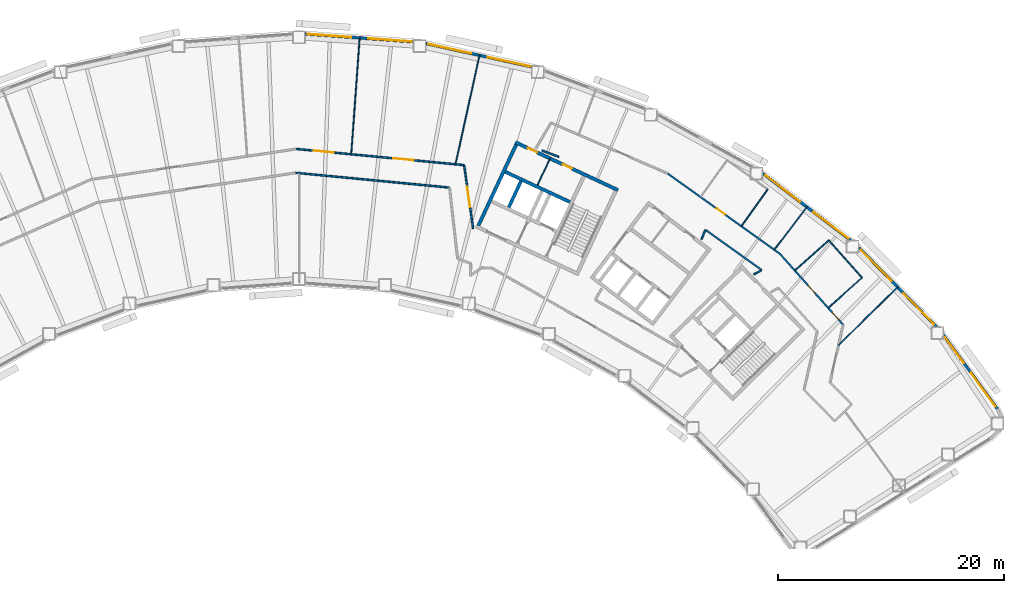
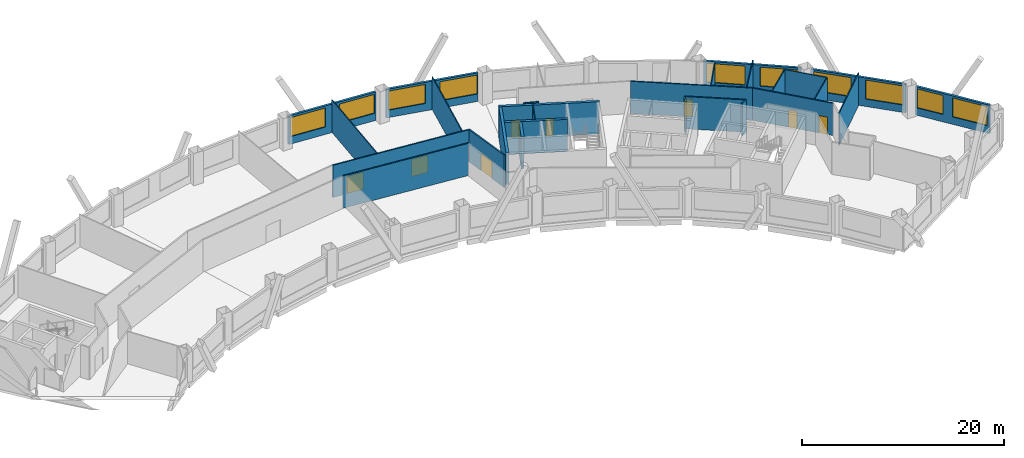
# One storey, part 7 of 11: 27 walls, 10 windows, 8 doors, 18 openings.
"""IFC4 building model written with IfcOpenShell, lengths in metres."""

from ifc_helpers import new_model, si_unit, direction, frame, frame_2d, origin, place, context, subcontext, project, spatial, rectangle, extrude, material, layer, layer_set, type_object, element, fill, save


model = new_model("IFC4")

# Units and contexts
model_context = context("Model", 3, precision=1e-05, world=origin(), true_north=direction((0.0, 1.0)))
body_context = subcontext(model_context, "Body", "Model", "MODEL_VIEW")
ifc_project = project(units=[si_unit("LENGTHUNIT", "METRE"), si_unit("AREAUNIT", "SQUARE_METRE"), si_unit("VOLUMEUNIT", "CUBIC_METRE"), si_unit("PLANEANGLEUNIT", "RADIAN"), si_unit("MASSUNIT", "GRAM", prefix="KILO")], contexts=[model_context])

# Site, building, storey
site_placement = place(None, origin())
site = spatial("IfcSite", under=ifc_project, at=site_placement, CompositionType="ELEMENT")
building_placement = place(site_placement, origin())
building = spatial("IfcBuilding", under=site, at=building_placement, Name="Tuul Gate Civic Tower", CompositionType="ELEMENT")
storey_placement = place(building_placement, frame((0.0, 0.0, 116.10009765625)))
storey = spatial("IfcBuildingStorey", under=building, at=storey_placement, Name="Level 26", CompositionType="ELEMENT", Elevation=116.10009765625)

# Wall
ifc_material_1 = material(Name="Concrete C50/60", Category="concrete")
ifc_layer_1 = layer(ifc_material_1, 0.300048828125)
ifc_layer_set_1 = layer_set([ifc_layer_1], Name="Concrete C50/60")
wall_type_1 = type_object("IfcWallType", Name="Core wall C50/60", PredefinedType="SHEAR", material=ifc_layer_set_1)
wall_1_placement = place(storey_placement, frame((33.75, -0.873779296875, 0.0), z_axis=(0.0, 0.0, 1.0), x_axis=(-0.906300917592, 0.422632992999, 0.0)))
element("IfcWall", 1, at=wall_1_placement, inside=storey, type_object=wall_type_1, Name="Core wall", PredefinedType="SHEAR", context=body_context, shape_type="SweptSolid", body=[
    extrude(rectangle(XDim=6.300048828125, YDim=0.300048828125, at=frame_2d((3.14990234375, 0.0))), origin(), (0.0, 0.0, 1.0), 3.89990234375),
])

# Wall, openings, doors
wall_2_placement = place(storey_placement, frame((37.993408203125, 0.181884765625, 0.0), z_axis=(0.0, 0.0, 1.0), x_axis=(-0.906310338845, 0.422612789327, 0.0)))
wall_2 = element("IfcWall", 2, at=wall_2_placement, inside=storey, type_object=wall_type_1, Name="Core wall", PredefinedType="SHEAR", context=body_context, shape_type="SweptSolid", body=[
    extrude(rectangle(XDim=9.999755859375, YDim=0.300048828125, at=frame_2d((5.0, 0.0))), origin(), (0.0, 0.0, 1.0), 3.89990234375),
])
opening_1_placement = place(wall_2_placement, frame((4.487548828125, 0.0, 0.0)))
opening_1 = element("IfcOpeningElement", 3, at=opening_1_placement, cuts=wall_2, Name="Opening H-D22", PredefinedType="OPENING", context=body_context, shape_type="SweptSolid", body=[
    extrude(rectangle(XDim=0.89990234375, YDim=2.10009765625, at=frame_2d((0.449951171875, 1.050048828125))), frame((0.0, 0.16015625, 0.0), z_axis=(0.0, -1.0, 0.0), x_axis=(1.0, 0.0, 0.0)), (0.0, 0.0, 1.0), 0.320068359375),
])
opening_2_placement = place(wall_2_placement, frame((7.862548828125, 0.0, 0.0)))
opening_2 = element("IfcOpeningElement", 4, at=opening_2_placement, cuts=wall_2, Name="Opening H-D23", PredefinedType="OPENING", context=body_context, shape_type="SweptSolid", body=[
    extrude(rectangle(XDim=0.89990234375, YDim=2.10009765625, at=frame_2d((0.449951171875, 1.050048828125))), frame((0.0, 0.16015625, 0.0), z_axis=(0.0, -1.0, 0.0), x_axis=(1.0, 0.0, 0.0)), (0.0, 0.0, 1.0), 0.320068359375),
])
ifc_material_2 = material(Name="Timber door leaf", Category="wood")
door_type_1 = type_object("IfcDoorType", Name="Door D09", OperationType="NOTDEFINED", PredefinedType="DOOR", material=ifc_material_2)
door_1_placement = place(opening_1_placement, origin())
door_1 = element("IfcDoor", 5, at=door_1_placement, inside=storey, type_object=door_type_1, Name="Door H-D22", OperationType="SINGLE_SWING_LEFT", OverallHeight=2.10009765625, OverallWidth=0.89990234375, PredefinedType="DOOR", context=body_context, shape_type="SweptSolid", body=[
    extrude(rectangle(XDim=0.89990234375, YDim=2.10009765625, at=frame_2d((0.449951171875, 1.050048828125))), frame((0.0, 0.02490234375, 0.0), z_axis=(0.0, -1.0, 0.0), x_axis=(1.0, 0.0, 0.0)), (0.0, 0.0, 1.0), 0.050048828125),
])
fill(opening_1, door_1)
door_2_placement = place(opening_2_placement, origin())
door_2 = element("IfcDoor", 6, at=door_2_placement, inside=storey, type_object=door_type_1, Name="Door H-D23", OperationType="SINGLE_SWING_RIGHT", OverallHeight=2.10009765625, OverallWidth=0.89990234375, PredefinedType="DOOR", context=body_context, shape_type="SweptSolid", body=[
    extrude(rectangle(XDim=0.89990234375, YDim=2.10009765625, at=frame_2d((0.449951171875, 1.050048828125))), frame((0.0, 0.02490234375, 0.0), z_axis=(0.0, -1.0, 0.0), x_axis=(1.0, 0.0, 0.0)), (0.0, 0.0, 1.0), 0.050048828125),
])
fill(opening_2, door_2)

# Walls
wall_3_placement = place(storey_placement, frame((28.349365234375, -1.33447265625, 0.0), z_axis=(0.0, 0.0, 1.0), x_axis=(0.422612891016, 0.906310291427, 0.0)))
element("IfcWall", 7, at=wall_3_placement, inside=storey, type_object=wall_type_1, Name="Core wall", PredefinedType="SHEAR", context=body_context, shape_type="SweptSolid", body=[
    extrude(rectangle(XDim=2.550048828125, YDim=0.300048828125, at=frame_2d((1.27490234375, 0.0))), origin(), (0.0, 0.0, 1.0), 3.89990234375),
])
wall_4_placement = place(storey_placement, frame((25.66455078125, -2.951416015625, 0.0), z_axis=(0.0, 0.0, 1.0), x_axis=(0.422582604137, 0.906324413596, 0.0)))
element("IfcWall", 8, at=wall_4_placement, inside=storey, type_object=wall_type_1, Name="Core wall", PredefinedType="SHEAR", context=body_context, shape_type="SweptSolid", body=[
    extrude(rectangle(XDim=7.89990234375, YDim=0.300048828125, at=frame_2d((3.949951171875, 0.0))), origin(), (0.0, 0.0, 1.0), 3.89990234375),
])

# Wall, openings, doors
ifc_material_3 = material(Name="Gypsum board partition")
ifc_layer_2 = layer(ifc_material_3, 0.14990234375)
ifc_layer_set_2 = layer_set([ifc_layer_2], Name="Gypsum board partition")
wall_type_2 = type_object("IfcWallType", Name="Corridor wall P150", PredefinedType="PARTITIONING", material=ifc_layer_set_2)
wall_5_placement = place(storey_placement, frame((52.29248046875, -5.44287109375, 0.0), z_axis=(0.0, 0.0, 1.0), x_axis=(0.665799077585, -0.746131079829, 0.0)))
wall_5 = element("IfcWall", 9, at=wall_5_placement, inside=storey, type_object=wall_type_2, Name="p006", PredefinedType="PARTITIONING", context=body_context, shape_type="SweptSolid", body=[
    extrude(rectangle(XDim=8.397216796875, YDim=0.14990234375, at=frame_2d((4.19873046875, 0.0))), origin(), (0.0, 0.0, 1.0), 3.89990234375),
])
opening_3_placement = place(wall_5_placement, frame((3.748291015625, 0.0, 0.0)))
opening_3 = element("IfcOpeningElement", 10, at=opening_3_placement, cuts=wall_5, Name="Opening H-D02", PredefinedType="OPENING", context=body_context, shape_type="SweptSolid", body=[
    extrude(rectangle(XDim=0.89990234375, YDim=2.10009765625, at=frame_2d((0.449951171875, 1.050048828125))), frame((0.0, 0.0849609375, 0.0), z_axis=(0.0, -1.0, 0.0), x_axis=(1.0, 0.0, 0.0)), (0.0, 0.0, 1.0), 0.169921875),
])
opening_4_placement = place(wall_5_placement, frame((6.938232421875, 0.0, 0.0)))
opening_4 = element("IfcOpeningElement", 11, at=opening_4_placement, cuts=wall_5, Name="Opening H-D15", PredefinedType="OPENING", context=body_context, shape_type="SweptSolid", body=[
    extrude(rectangle(XDim=0.89990234375, YDim=2.10009765625, at=frame_2d((0.449951171875, 1.050048828125))), frame((0.0, 0.0849609375, 0.0), z_axis=(0.0, -1.0, 0.0), x_axis=(1.0, 0.0, 0.0)), (0.0, 0.0, 1.0), 0.169921875),
])
door_3_placement = place(opening_3_placement, origin())
door_3 = element("IfcDoor", 12, at=door_3_placement, inside=storey, type_object=door_type_1, Name="Door H-D02", OperationType="SINGLE_SWING_RIGHT", OverallHeight=2.10009765625, OverallWidth=0.89990234375, PredefinedType="DOOR", context=body_context, shape_type="SweptSolid", body=[
    extrude(rectangle(XDim=0.89990234375, YDim=2.10009765625, at=frame_2d((0.449951171875, 1.050048828125))), frame((0.0, 0.02490234375, 0.0), z_axis=(0.0, -1.0, 0.0), x_axis=(1.0, 0.0, 0.0)), (0.0, 0.0, 1.0), 0.050048828125),
])
fill(opening_3, door_3)
door_4_placement = place(opening_4_placement, origin())
door_4 = element("IfcDoor", 13, at=door_4_placement, inside=storey, type_object=door_type_1, Name="Door H-D15", OperationType="SINGLE_SWING_LEFT", OverallHeight=2.10009765625, OverallWidth=0.89990234375, PredefinedType="DOOR", context=body_context, shape_type="SweptSolid", body=[
    extrude(rectangle(XDim=0.89990234375, YDim=2.10009765625, at=frame_2d((0.449951171875, 1.050048828125))), frame((0.0, 0.02490234375, 0.0), z_axis=(0.0, -1.0, 0.0), x_axis=(1.0, 0.0, 0.0)), (0.0, 0.0, 1.0), 0.050048828125),
])
fill(opening_4, door_4)

# Wall, opening, door
wall_6_placement = place(storey_placement, frame((42.385009765625, 1.646240234375, 0.0), z_axis=(0.0, 0.0, 1.0), x_axis=(0.813260638931, -0.581899590278, 0.0)))
wall_6 = element("IfcWall", 14, at=wall_6_placement, inside=storey, type_object=wall_type_2, Name="p010", PredefinedType="PARTITIONING", context=body_context, shape_type="SweptSolid", body=[
    extrude(rectangle(XDim=12.1826171875, YDim=0.14990234375, at=frame_2d((6.09130859375, 0.0))), origin(), (0.0, 0.0, 1.0), 3.89990234375),
])
opening_5_placement = place(wall_6_placement, frame((5.337646484375, 0.0, 0.0)))
opening_5 = element("IfcOpeningElement", 15, at=opening_5_placement, cuts=wall_6, Name="Opening H-D03", PredefinedType="OPENING", context=body_context, shape_type="SweptSolid", body=[
    extrude(rectangle(XDim=0.89990234375, YDim=2.10009765625, at=frame_2d((0.449951171875, 1.050048828125))), frame((0.0, 0.0849609375, 0.0), z_axis=(0.0, -1.0, 0.0), x_axis=(1.0, 0.0, 0.0)), (0.0, 0.0, 1.0), 0.169921875),
])
door_5_placement = place(opening_5_placement, origin())
door_5 = element("IfcDoor", 16, at=door_5_placement, inside=storey, type_object=door_type_1, Name="Door H-D03", OperationType="SINGLE_SWING_RIGHT", OverallHeight=2.10009765625, OverallWidth=0.89990234375, PredefinedType="DOOR", context=body_context, shape_type="SweptSolid", body=[
    extrude(rectangle(XDim=0.89990234375, YDim=2.10009765625, at=frame_2d((0.449951171875, 1.050048828125))), frame((0.0, 0.02490234375, 0.0), z_axis=(0.0, -1.0, 0.0), x_axis=(1.0, 0.0, 0.0)), (0.0, 0.0, 1.0), 0.050048828125),
])
fill(opening_5, door_5)

# Wall
wall_7_placement = place(storey_placement, frame((31.287841796875, 3.683837890625, 0.0), z_axis=(0.0, 0.0, 1.0), x_axis=(0.933158919191, -0.359464089353, 0.0)))
element("IfcWall", 17, at=wall_7_placement, inside=storey, type_object=wall_type_2, Name="p017", PredefinedType="PARTITIONING", context=body_context, shape_type="SweptSolid", body=[
    extrude(rectangle(XDim=1.585205078125, YDim=0.14990234375, at=frame_2d((0.79248046875, 0.0))), origin(), (0.0, 0.0, 1.0), 3.89990234375),
])

# Wall, opening, door
wall_8_placement = place(storey_placement, frame((24.403564453125, 2.389404296875, 0.0), z_axis=(0.0, 0.0, 1.0), x_axis=(0.140745812343, -0.990045764754, 0.0)))
wall_8 = element("IfcWall", 18, at=wall_8_placement, inside=storey, type_object=wall_type_2, Name="p018", PredefinedType="PARTITIONING", context=body_context, shape_type="SweptSolid", body=[
    extrude(rectangle(XDim=5.6669921875, YDim=0.14990234375, at=frame_2d((2.83349609375, 0.0))), origin(), (0.0, 0.0, 1.0), 3.89990234375),
])
opening_6_placement = place(wall_8_placement, frame((1.93359375, 0.0, 0.0)))
opening_6 = element("IfcOpeningElement", 19, at=opening_6_placement, cuts=wall_8, Name="Opening H-D04", PredefinedType="OPENING", context=body_context, shape_type="SweptSolid", body=[
    extrude(rectangle(XDim=1.800048828125, YDim=2.10009765625, at=frame_2d((0.89990234375, 1.050048828125))), frame((0.0, 0.0849609375, 0.0), z_axis=(0.0, -1.0, 0.0), x_axis=(1.0, 0.0, 0.0)), (0.0, 0.0, 1.0), 0.169921875),
])
ifc_material_4 = material(Name="Timber door leaf, double", Category="wood")
door_type_2 = type_object("IfcDoorType", Name="Door D18", OperationType="DOUBLE_DOOR_SINGLE_SWING", PredefinedType="DOOR", material=ifc_material_4)
door_6_placement = place(opening_6_placement, origin())
door_6 = element("IfcDoor", 20, at=door_6_placement, inside=storey, type_object=door_type_2, Name="Door H-D04", OperationType="DOUBLE_DOOR_SINGLE_SWING", OverallHeight=2.10009765625, OverallWidth=1.800048828125, PredefinedType="DOOR", context=body_context, shape_type="SweptSolid", body=[
    extrude(rectangle(XDim=1.800048828125, YDim=2.10009765625, at=frame_2d((0.89990234375, 1.050048828125))), frame((0.0, 0.02490234375, 0.0), z_axis=(0.0, -1.0, 0.0), x_axis=(1.0, 0.0, 0.0)), (0.0, 0.0, 1.0), 0.050048828125),
])
fill(opening_6, door_6)

# Wall, openings, doors
wall_9_placement = place(storey_placement, frame((9.5673828125, 3.81640625, 0.0), z_axis=(0.0, 0.0, 1.0), x_axis=(0.995410259567, -0.095699608926, 0.0)))
wall_9 = element("IfcWall", 21, at=wall_9_placement, inside=storey, type_object=wall_type_2, Name="p019", PredefinedType="PARTITIONING", context=body_context, shape_type="SweptSolid", body=[
    extrude(rectangle(XDim=14.903564453125, YDim=0.14990234375, at=frame_2d((7.45166015625, 0.0))), origin(), (0.0, 0.0, 1.0), 3.89990234375),
])
opening_7_placement = place(wall_9_placement, frame((8.61328125, 0.0, 0.0)))
opening_7 = element("IfcOpeningElement", 22, at=opening_7_placement, cuts=wall_9, Name="Opening H-D05", PredefinedType="OPENING", context=body_context, shape_type="SweptSolid", body=[
    extrude(rectangle(XDim=1.800048828125, YDim=2.10009765625, at=frame_2d((0.89990234375, 1.050048828125))), frame((0.0, 0.0849609375, 0.0), z_axis=(0.0, -1.0, 0.0), x_axis=(1.0, 0.0, 0.0)), (0.0, 0.0, 1.0), 0.169921875),
])
opening_8_placement = place(wall_9_placement, frame((1.543701171875, 0.0, 0.0)))
opening_8 = element("IfcOpeningElement", 23, at=opening_8_placement, cuts=wall_9, Name="Opening H-D06", PredefinedType="OPENING", context=body_context, shape_type="SweptSolid", body=[
    extrude(rectangle(XDim=1.800048828125, YDim=2.10009765625, at=frame_2d((0.89990234375, 1.050048828125))), frame((0.0, 0.0849609375, 0.0), z_axis=(0.0, -1.0, 0.0), x_axis=(1.0, 0.0, 0.0)), (0.0, 0.0, 1.0), 0.169921875),
])
door_7_placement = place(opening_7_placement, origin())
door_7 = element("IfcDoor", 24, at=door_7_placement, inside=storey, type_object=door_type_2, Name="Door H-D05", OperationType="DOUBLE_DOOR_SINGLE_SWING", OverallHeight=2.10009765625, OverallWidth=1.800048828125, PredefinedType="DOOR", context=body_context, shape_type="SweptSolid", body=[
    extrude(rectangle(XDim=1.800048828125, YDim=2.10009765625, at=frame_2d((0.89990234375, 1.050048828125))), frame((0.0, 0.02490234375, 0.0), z_axis=(0.0, -1.0, 0.0), x_axis=(1.0, 0.0, 0.0)), (0.0, 0.0, 1.0), 0.050048828125),
])
fill(opening_7, door_7)
door_8_placement = place(opening_8_placement, origin())
door_8 = element("IfcDoor", 25, at=door_8_placement, inside=storey, type_object=door_type_2, Name="Door H-D06", OperationType="DOUBLE_DOOR_SINGLE_SWING", OverallHeight=2.10009765625, OverallWidth=1.800048828125, PredefinedType="DOOR", context=body_context, shape_type="SweptSolid", body=[
    extrude(rectangle(XDim=1.800048828125, YDim=2.10009765625, at=frame_2d((0.89990234375, 1.050048828125))), frame((0.0, 0.02490234375, 0.0), z_axis=(0.0, -1.0, 0.0), x_axis=(1.0, 0.0, 0.0)), (0.0, 0.0, 1.0), 0.050048828125),
])
fill(opening_8, door_8)

# Walls
wall_10_placement = place(storey_placement, frame((9.544921875, 1.708984375, 0.0), z_axis=(0.0, 0.0, 1.0), x_axis=(0.995409587422, -0.095706599925, 0.0)))
element("IfcWall", 26, at=wall_10_placement, inside=storey, type_object=wall_type_2, Name="p055", PredefinedType="PARTITIONING", context=body_context, shape_type="SweptSolid", body=[
    extrude(rectangle(XDim=13.619384765625, YDim=0.14990234375, at=frame_2d((6.8095703125, 0.0))), origin(), (0.0, 0.0, 1.0), 3.89990234375),
])
wall_11_placement = place(storey_placement, frame((45.3642578125, -4.169921875, 0.0), z_axis=(0.0, 0.0, 1.0), x_axis=(0.378664690995, 0.925533927954, 0.0)))
element("IfcWall", 27, at=wall_11_placement, inside=storey, type_object=wall_type_2, Name="p076", PredefinedType="PARTITIONING", context=body_context, shape_type="SweptSolid", body=[
    extrude(rectangle(XDim=0.8955078125, YDim=0.14990234375, at=frame_2d((0.44775390625, 0.0))), origin(), (0.0, 0.0, 1.0), 3.89990234375),
])
wall_12_placement = place(storey_placement, frame((45.73388671875, -3.332275390625, 0.0), z_axis=(0.0, 0.0, 1.0), x_axis=(0.813284299396, -0.581866521081, 0.0)))
element("IfcWall", 28, at=wall_12_placement, inside=storey, type_object=wall_type_2, Name="p077", PredefinedType="PARTITIONING", context=body_context, shape_type="SweptSolid", body=[
    extrude(rectangle(XDim=6.06298828125, YDim=0.14990234375, at=frame_2d((3.031494140625, 0.0))), origin(), (0.0, 0.0, 1.0), 3.89990234375),
])
wall_13_placement = place(storey_placement, frame((49.980224609375, -7.260986328125, 0.0), z_axis=(0.0, 0.0, 1.0), x_axis=(0.880996862328, 0.473122107461, 0.0)))
element("IfcWall", 29, at=wall_13_placement, inside=storey, type_object=wall_type_2, Name="p078", PredefinedType="PARTITIONING", context=body_context, shape_type="SweptSolid", body=[
    extrude(rectangle(XDim=0.774658203125, YDim=0.14990234375, at=frame_2d((0.38720703125, 0.0))), origin(), (0.0, 0.0, 1.0), 3.89990234375),
])

# Wall, openings, windows
ifc_material_5 = material(Name="Precast concrete C40/50", Category="concrete")
ifc_layer_3 = layer(ifc_material_5, 0.25)
ifc_layer_set_3 = layer_set([ifc_layer_3], Name="Precast concrete C40/50")
wall_type_3 = type_object("IfcWallType", Name="External wall", PredefinedType="STANDARD", material=ifc_layer_set_3)
wall_14_placement = place(storey_placement, frame((71.51806640625, -19.15869140625, 0.0), z_axis=(0.0, 0.0, 1.0), x_axis=(-0.589826474226, 0.807530018205, 0.0)))
wall_14 = element("IfcWall", 30, at=wall_14_placement, inside=storey, type_object=wall_type_3, Name="External wall", PredefinedType="STANDARD", context=body_context, shape_type="SweptSolid", body=[
    extrude(rectangle(XDim=8.082275390625, YDim=0.25, at=frame_2d((4.041015625, 0.0))), origin(), (0.0, 0.0, 1.0), 3.449951171875),
])
opening_9_placement = place(wall_14_placement, frame((0.30078125, 0.0, 0.89990234375)))
opening_9 = element("IfcOpeningElement", 31, at=opening_9_placement, cuts=wall_14, Name="Opening W21", PredefinedType="OPENING", context=body_context, shape_type="SweptSolid", body=[
    extrude(rectangle(XDim=3.699951171875, YDim=2.300048828125, at=frame_2d((1.85009765625, 1.14990234375))), frame((0.0, 0.135009765625, 0.0), z_axis=(0.0, -1.0, 0.0), x_axis=(1.0, 0.0, 0.0)), (0.0, 0.0, 1.0), 0.27001953125),
])
opening_10_placement = place(wall_14_placement, frame((5.052001953125, 0.0, 0.89990234375)))
opening_10 = element("IfcOpeningElement", 32, at=opening_10_placement, cuts=wall_14, Name="Opening W23", PredefinedType="OPENING", context=body_context, shape_type="SweptSolid", body=[
    extrude(rectangle(XDim=2.800048828125, YDim=2.300048828125, at=frame_2d((1.39990234375, 1.14990234375))), frame((0.0, 0.135009765625, 0.0), z_axis=(0.0, -1.0, 0.0), x_axis=(1.0, 0.0, 0.0)), (0.0, 0.0, 1.0), 0.27001953125),
])
ifc_material_6 = material(Name="Glass", Category="glass")
window_type_1 = type_object("IfcWindowType", Name="Window W21 3700 x 2300", PartitioningType="SINGLE_PANEL", PredefinedType="WINDOW", material=ifc_material_6)
window_1_placement = place(opening_9_placement, origin())
window_1 = element("IfcWindow", 33, at=window_1_placement, inside=storey, type_object=window_type_1, Name="Window", OverallHeight=2.300048828125, OverallWidth=3.699951171875, PartitioningType="SINGLE_PANEL", PredefinedType="WINDOW", context=body_context, shape_type="SweptSolid", body=[
    extrude(rectangle(XDim=3.699951171875, YDim=2.300048828125, at=frame_2d((1.85009765625, 1.14990234375))), frame((0.0, 0.030029296875, 0.0), z_axis=(0.0, -1.0, 0.0), x_axis=(1.0, 0.0, 0.0)), (0.0, 0.0, 1.0), 0.06005859375),
])
fill(opening_9, window_1)
ifc_material_7 = material(Name="Glass", Category="glass")
window_type_2 = type_object("IfcWindowType", Name="Window W23 2800 x 2300", PartitioningType="SINGLE_PANEL", PredefinedType="WINDOW", material=ifc_material_7)
window_2_placement = place(opening_10_placement, origin())
window_2 = element("IfcWindow", 34, at=window_2_placement, inside=storey, type_object=window_type_2, Name="Window", OverallHeight=2.300048828125, OverallWidth=2.800048828125, PartitioningType="SINGLE_PANEL", PredefinedType="WINDOW", context=body_context, shape_type="SweptSolid", body=[
    extrude(rectangle(XDim=2.800048828125, YDim=2.300048828125, at=frame_2d((1.39990234375, 1.14990234375))), frame((0.0, 0.030029296875, 0.0), z_axis=(0.0, -1.0, 0.0), x_axis=(1.0, 0.0, 0.0)), (0.0, 0.0, 1.0), 0.06005859375),
])
fill(opening_10, window_2)

wall_15_placement = place(storey_placement, frame((66.1162109375, -11.87890625, 0.0), z_axis=(0.0, 0.0, 1.0), x_axis=(-0.700013456131, 0.714129652959, 0.0)))
wall_15 = element("IfcWall", 35, at=wall_15_placement, inside=storey, type_object=wall_type_3, Name="External wall", PredefinedType="STANDARD", context=body_context, shape_type="SweptSolid", body=[
    extrude(rectangle(XDim=9.771728515625, YDim=0.25, at=frame_2d((4.8857421875, 0.0))), origin(), (0.0, 0.0, 1.0), 3.449951171875),
])
opening_11_placement = place(wall_15_placement, frame((0.275634765625, 0.0, 0.89990234375)))
opening_11 = element("IfcOpeningElement", 36, at=opening_11_placement, cuts=wall_15, Name="Opening W22", PredefinedType="OPENING", context=body_context, shape_type="SweptSolid", body=[
    extrude(rectangle(XDim=3.85009765625, YDim=2.300048828125, at=frame_2d((1.925048828125, 1.14990234375))), frame((0.0, 0.135009765625, 0.0), z_axis=(0.0, -1.0, 0.0), x_axis=(1.0, 0.0, 0.0)), (0.0, 0.0, 1.0), 0.27001953125),
])
opening_12_placement = place(wall_15_placement, frame((5.64697265625, 0.0, 0.89990234375)))
opening_12 = element("IfcOpeningElement", 37, at=opening_12_placement, cuts=wall_15, Name="Opening W22", PredefinedType="OPENING", context=body_context, shape_type="SweptSolid", body=[
    extrude(rectangle(XDim=3.85009765625, YDim=2.300048828125, at=frame_2d((1.925048828125, 1.14990234375))), frame((0.0, 0.135009765625, 0.0), z_axis=(0.0, -1.0, 0.0), x_axis=(1.0, 0.0, 0.0)), (0.0, 0.0, 1.0), 0.27001953125),
])
ifc_material_8 = material(Name="Glass", Category="glass")
window_type_3 = type_object("IfcWindowType", Name="Window W22 3850 x 2300", PartitioningType="SINGLE_PANEL", PredefinedType="WINDOW", material=ifc_material_8)
window_3_placement = place(opening_11_placement, origin())
window_3 = element("IfcWindow", 38, at=window_3_placement, inside=storey, type_object=window_type_3, Name="Window", OverallHeight=2.300048828125, OverallWidth=3.85009765625, PartitioningType="SINGLE_PANEL", PredefinedType="WINDOW", context=body_context, shape_type="SweptSolid", body=[
    extrude(rectangle(XDim=3.85009765625, YDim=2.300048828125, at=frame_2d((1.925048828125, 1.14990234375))), frame((0.0, 0.030029296875, 0.0), z_axis=(0.0, -1.0, 0.0), x_axis=(1.0, 0.0, 0.0)), (0.0, 0.0, 1.0), 0.06005859375),
])
fill(opening_11, window_3)
window_4_placement = place(opening_12_placement, origin())
window_4 = element("IfcWindow", 39, at=window_4_placement, inside=storey, type_object=window_type_3, Name="Window", OverallHeight=2.300048828125, OverallWidth=3.85009765625, PartitioningType="SINGLE_PANEL", PredefinedType="WINDOW", context=body_context, shape_type="SweptSolid", body=[
    extrude(rectangle(XDim=3.85009765625, YDim=2.300048828125, at=frame_2d((1.925048828125, 1.14990234375))), frame((0.0, 0.030029296875, 0.0), z_axis=(0.0, -1.0, 0.0), x_axis=(1.0, 0.0, 0.0)), (0.0, 0.0, 1.0), 0.06005859375),
])
fill(opening_12, window_4)

wall_16_placement = place(storey_placement, frame((58.540283203125, -4.25390625, 0.0), z_axis=(0.0, 0.0, 1.0), x_axis=(-0.795623043201, 0.605792021346, 0.0)))
wall_16 = element("IfcWall", 40, at=wall_16_placement, inside=storey, type_object=wall_type_3, Name="External wall", PredefinedType="STANDARD", context=body_context, shape_type="SweptSolid", body=[
    extrude(rectangle(XDim=9.75244140625, YDim=0.25, at=frame_2d((4.876220703125, 0.0))), origin(), (0.0, 0.0, 1.0), 3.449951171875),
])
opening_13_placement = place(wall_16_placement, frame((0.24658203125, 0.0, 0.89990234375)))
opening_13 = element("IfcOpeningElement", 41, at=opening_13_placement, cuts=wall_16, Name="Opening W22", PredefinedType="OPENING", context=body_context, shape_type="SweptSolid", body=[
    extrude(rectangle(XDim=3.85009765625, YDim=2.300048828125, at=frame_2d((1.925048828125, 1.14990234375))), frame((0.0, 0.135009765625, 0.0), z_axis=(0.0, -1.0, 0.0), x_axis=(1.0, 0.0, 0.0)), (0.0, 0.0, 1.0), 0.27001953125),
])
opening_14_placement = place(wall_16_placement, frame((5.617919921875, 0.0, 0.89990234375)))
opening_14 = element("IfcOpeningElement", 42, at=opening_14_placement, cuts=wall_16, Name="Opening W22", PredefinedType="OPENING", context=body_context, shape_type="SweptSolid", body=[
    extrude(rectangle(XDim=3.85009765625, YDim=2.300048828125, at=frame_2d((1.925048828125, 1.14990234375))), frame((0.0, 0.135009765625, 0.0), z_axis=(0.0, -1.0, 0.0), x_axis=(1.0, 0.0, 0.0)), (0.0, 0.0, 1.0), 0.27001953125),
])
window_5_placement = place(opening_13_placement, origin())
window_5 = element("IfcWindow", 43, at=window_5_placement, inside=storey, type_object=window_type_3, Name="Window", OverallHeight=2.300048828125, OverallWidth=3.85009765625, PartitioningType="SINGLE_PANEL", PredefinedType="WINDOW", context=body_context, shape_type="SweptSolid", body=[
    extrude(rectangle(XDim=3.85009765625, YDim=2.300048828125, at=frame_2d((1.925048828125, 1.14990234375))), frame((0.0, 0.030029296875, 0.0), z_axis=(0.0, -1.0, 0.0), x_axis=(1.0, 0.0, 0.0)), (0.0, 0.0, 1.0), 0.06005859375),
])
fill(opening_13, window_5)
window_6_placement = place(opening_14_placement, origin())
window_6 = element("IfcWindow", 44, at=window_6_placement, inside=storey, type_object=window_type_3, Name="Window", OverallHeight=2.300048828125, OverallWidth=3.85009765625, PartitioningType="SINGLE_PANEL", PredefinedType="WINDOW", context=body_context, shape_type="SweptSolid", body=[
    extrude(rectangle(XDim=3.85009765625, YDim=2.300048828125, at=frame_2d((1.925048828125, 1.14990234375))), frame((0.0, 0.030029296875, 0.0), z_axis=(0.0, -1.0, 0.0), x_axis=(1.0, 0.0, 0.0)), (0.0, 0.0, 1.0), 0.06005859375),
])
fill(opening_14, window_6)

wall_17_placement = place(storey_placement, frame((30.35498046875, 11.070556640625, 0.0), z_axis=(0.0, 0.0, 1.0), x_axis=(-0.976562109563, 0.215235792019, 0.0)))
wall_17 = element("IfcWall", 45, at=wall_17_placement, inside=storey, type_object=wall_type_3, Name="External wall", PredefinedType="STANDARD", context=body_context, shape_type="SweptSolid", body=[
    extrude(rectangle(XDim=9.55078125, YDim=0.25, at=frame_2d((4.775390625, 0.0))), origin(), (0.0, 0.0, 1.0), 3.449951171875),
])
opening_15_placement = place(wall_17_placement, frame((0.093017578125, 0.0, 0.89990234375)))
opening_15 = element("IfcOpeningElement", 46, at=opening_15_placement, cuts=wall_17, Name="Opening W22", PredefinedType="OPENING", context=body_context, shape_type="SweptSolid", body=[
    extrude(rectangle(XDim=3.85009765625, YDim=2.300048828125, at=frame_2d((1.925048828125, 1.14990234375))), frame((0.0, 0.135009765625, 0.0), z_axis=(0.0, -1.0, 0.0), x_axis=(1.0, 0.0, 0.0)), (0.0, 0.0, 1.0), 0.27001953125),
])
opening_16_placement = place(wall_17_placement, frame((5.46435546875, 0.0, 0.89990234375)))
opening_16 = element("IfcOpeningElement", 47, at=opening_16_placement, cuts=wall_17, Name="Opening W22", PredefinedType="OPENING", context=body_context, shape_type="SweptSolid", body=[
    extrude(rectangle(XDim=3.85009765625, YDim=2.300048828125, at=frame_2d((1.925048828125, 1.14990234375))), frame((0.0, 0.135009765625, 0.0), z_axis=(0.0, -1.0, 0.0), x_axis=(1.0, 0.0, 0.0)), (0.0, 0.0, 1.0), 0.27001953125),
])
window_7_placement = place(opening_15_placement, origin())
window_7 = element("IfcWindow", 48, at=window_7_placement, inside=storey, type_object=window_type_3, Name="Window", OverallHeight=2.300048828125, OverallWidth=3.85009765625, PartitioningType="SINGLE_PANEL", PredefinedType="WINDOW", context=body_context, shape_type="SweptSolid", body=[
    extrude(rectangle(XDim=3.85009765625, YDim=2.300048828125, at=frame_2d((1.925048828125, 1.14990234375))), frame((0.0, 0.030029296875, 0.0), z_axis=(0.0, -1.0, 0.0), x_axis=(1.0, 0.0, 0.0)), (0.0, 0.0, 1.0), 0.06005859375),
])
fill(opening_15, window_7)
window_8_placement = place(opening_16_placement, origin())
window_8 = element("IfcWindow", 49, at=window_8_placement, inside=storey, type_object=window_type_3, Name="Window", OverallHeight=2.300048828125, OverallWidth=3.85009765625, PartitioningType="SINGLE_PANEL", PredefinedType="WINDOW", context=body_context, shape_type="SweptSolid", body=[
    extrude(rectangle(XDim=3.85009765625, YDim=2.300048828125, at=frame_2d((1.925048828125, 1.14990234375))), frame((0.0, 0.030029296875, 0.0), z_axis=(0.0, -1.0, 0.0), x_axis=(1.0, 0.0, 0.0)), (0.0, 0.0, 1.0), 0.06005859375),
])
fill(opening_16, window_8)

wall_18_placement = place(storey_placement, frame((19.927978515625, 13.2802734375, 0.0), z_axis=(0.0, 0.0, 1.0), x_axis=(-0.997379785239, 0.072343375623, 0.0)))
wall_18 = element("IfcWall", 50, at=wall_18_placement, inside=storey, type_object=wall_type_3, Name="External wall", PredefinedType="STANDARD", context=body_context, shape_type="SweptSolid", body=[
    extrude(rectangle(XDim=9.57421875, YDim=0.25, at=frame_2d((4.787109375, 0.0))), origin(), (0.0, 0.0, 1.0), 3.449951171875),
])
opening_17_placement = place(wall_18_placement, frame((0.153076171875, 0.0, 0.89990234375)))
opening_17 = element("IfcOpeningElement", 51, at=opening_17_placement, cuts=wall_18, Name="Opening W22", PredefinedType="OPENING", context=body_context, shape_type="SweptSolid", body=[
    extrude(rectangle(XDim=3.85009765625, YDim=2.300048828125, at=frame_2d((1.925048828125, 1.14990234375))), frame((0.0, 0.135009765625, 0.0), z_axis=(0.0, -1.0, 0.0), x_axis=(1.0, 0.0, 0.0)), (0.0, 0.0, 1.0), 0.27001953125),
])
opening_18_placement = place(wall_18_placement, frame((5.524169921875, 0.0, 0.89990234375)))
opening_18 = element("IfcOpeningElement", 52, at=opening_18_placement, cuts=wall_18, Name="Opening W22", PredefinedType="OPENING", context=body_context, shape_type="SweptSolid", body=[
    extrude(rectangle(XDim=3.85009765625, YDim=2.300048828125, at=frame_2d((1.925048828125, 1.14990234375))), frame((0.0, 0.135009765625, 0.0), z_axis=(0.0, -1.0, 0.0), x_axis=(1.0, 0.0, 0.0)), (0.0, 0.0, 1.0), 0.27001953125),
])
window_9_placement = place(opening_17_placement, origin())
window_9 = element("IfcWindow", 53, at=window_9_placement, inside=storey, type_object=window_type_3, Name="Window", OverallHeight=2.300048828125, OverallWidth=3.85009765625, PartitioningType="SINGLE_PANEL", PredefinedType="WINDOW", context=body_context, shape_type="SweptSolid", body=[
    extrude(rectangle(XDim=3.85009765625, YDim=2.300048828125, at=frame_2d((1.925048828125, 1.14990234375))), frame((0.0, 0.030029296875, 0.0), z_axis=(0.0, -1.0, 0.0), x_axis=(1.0, 0.0, 0.0)), (0.0, 0.0, 1.0), 0.06005859375),
])
fill(opening_17, window_9)
window_10_placement = place(opening_18_placement, origin())
window_10 = element("IfcWindow", 54, at=window_10_placement, inside=storey, type_object=window_type_3, Name="Window", OverallHeight=2.300048828125, OverallWidth=3.85009765625, PartitioningType="SINGLE_PANEL", PredefinedType="WINDOW", context=body_context, shape_type="SweptSolid", body=[
    extrude(rectangle(XDim=3.85009765625, YDim=2.300048828125, at=frame_2d((1.925048828125, 1.14990234375))), frame((0.0, 0.030029296875, 0.0), z_axis=(0.0, -1.0, 0.0), x_axis=(1.0, 0.0, 0.0)), (0.0, 0.0, 1.0), 0.06005859375),
])
fill(opening_18, window_10)

# Walls
ifc_material_9 = material(Name="Gypsum board partition")
ifc_layer_4 = layer(ifc_material_9, 0.10009765625)
ifc_layer_set_4 = layer_set([ifc_layer_4], Name="Gypsum board partition")
wall_type_4 = type_object("IfcWallType", Name="Partition P100", PredefinedType="PARTITIONING", material=ifc_layer_set_4)
wall_19_placement = place(storey_placement, frame((57.474853515625, -13.507080078125, 0.0), z_axis=(0.0, 0.0, 1.0), x_axis=(0.714129754516, 0.700013352527, 0.0)))
element("IfcWall", 55, at=wall_19_placement, inside=storey, type_object=wall_type_4, Name="p005", PredefinedType="PARTITIONING", context=body_context, shape_type="SweptSolid", body=[
    extrude(rectangle(XDim=7.315673828125, YDim=0.10009765625, at=frame_2d((3.65771484375, 0.0))), origin(), (0.0, 0.0, 1.0), 3.89990234375),
])
wall_20_placement = place(storey_placement, frame((53.616455078125, -6.926513671875, 0.0), z_axis=(0.0, 0.0, 1.0), x_axis=(0.746118035581, 0.665813695399, 0.0)))
element("IfcWall", 56, at=wall_20_placement, inside=storey, type_object=wall_type_4, Name="p007", PredefinedType="PARTITIONING", context=body_context, shape_type="SweptSolid", body=[
    extrude(rectangle(XDim=4.010009765625, YDim=0.10009765625, at=frame_2d((2.0048828125, 0.0))), origin(), (0.0, 0.0, 1.0), 3.89990234375),
])
wall_21_placement = place(storey_placement, frame((56.6083984375, -4.256591796875, 0.0), z_axis=(0.0, 0.0, 1.0), x_axis=(0.665781945769, -0.746146366799, 0.0)))
element("IfcWall", 57, at=wall_21_placement, inside=storey, type_object=wall_type_4, Name="p008", PredefinedType="PARTITIONING", context=body_context, shape_type="SweptSolid", body=[
    extrude(rectangle(XDim=4.420166015625, YDim=0.10009765625, at=frame_2d((2.2099609375, 0.0))), origin(), (0.0, 0.0, 1.0), 3.89990234375),
])
for number, where, z_axis, x_axis, name in (
    (58, (56.55908203125, -10.224365234375, 0.0), (0.0, 0.0, 1.0), (0.746175267407, 0.665749555246, 0.0), "p009"),
    (59, (48.88916015625, -3.007568359375, 0.0), (0.0, 0.0, 1.0), (0.58190604967, 0.813256017105, 0.0), "p013"),
):
    element("IfcWall", number, at=place(storey_placement, frame(where, z_axis=z_axis, x_axis=x_axis)), inside=storey, type_object=wall_type_4, Name=name, PredefinedType="PARTITIONING", context=body_context, shape_type="SweptSolid", body=[
        extrude(rectangle(XDim=4.010009765625, YDim=0.10009765625, at=frame_2d((2.0048828125, 0.0))), origin(), (0.0, 0.0, 1.0), 3.89990234375),
    ])
wall_22_placement = place(storey_placement, frame((23.6416015625, 2.46337890625, 0.0), z_axis=(0.0, 0.0, 1.0), x_axis=(0.215219975955, 0.976565595314, 0.0)))
element("IfcWall", 60, at=wall_22_placement, inside=storey, type_object=wall_type_4, Name="p014", PredefinedType="PARTITIONING", context=body_context, shape_type="SweptSolid", body=[
    extrude(rectangle(XDim=9.85546875, YDim=0.10009765625, at=frame_2d((4.927734375, 0.0))), origin(), (0.0, 0.0, 1.0), 3.89990234375),
])
wall_23_placement = place(storey_placement, frame((14.4326171875, 3.348876953125, 0.0), z_axis=(0.0, 0.0, 1.0), x_axis=(0.072261967896, 0.997385686681, 0.0)))
element("IfcWall", 61, at=wall_23_placement, inside=storey, type_object=wall_type_4, Name="p021", PredefinedType="PARTITIONING", context=body_context, shape_type="SweptSolid", body=[
    extrude(rectangle(XDim=10.307861328125, YDim=0.10009765625, at=frame_2d((5.15380859375, 0.0))), origin(), (0.0, 0.0, 1.0), 3.89990234375),
])
wall_24_placement = place(storey_placement, frame((51.799072265625, -5.089599609375, 0.0), z_axis=(0.0, 0.0, 1.0), x_axis=(0.60582655805, 0.79559674557, 0.0)))
element("IfcWall", 62, at=wall_24_placement, inside=storey, type_object=wall_type_4, Name="p079", PredefinedType="PARTITIONING", context=body_context, shape_type="SweptSolid", body=[
    extrude(rectangle(XDim=4.753662109375, YDim=0.10009765625, at=frame_2d((2.376953125, 0.0))), origin(), (0.0, 0.0, 1.0), 3.89990234375),
])
wall_25_placement = place(storey_placement, frame((30.890380859375, 0.625, 0.0), z_axis=(0.0, 0.0, 1.0), x_axis=(0.422597606916, 0.906317418253, 0.0)))
element("IfcWall", 63, at=wall_25_placement, inside=storey, type_object=wall_type_4, Name="bE3-BAND-0", PredefinedType="PARTITIONING", context=body_context, shape_type="SweptSolid", body=[
    extrude(rectangle(XDim=2.600341796875, YDim=0.10009765625, at=frame_2d((1.30029296875, 0.0))), origin(), (0.0, 0.0, 1.0), 3.89990234375),
])

save(model, "model.ifc")
